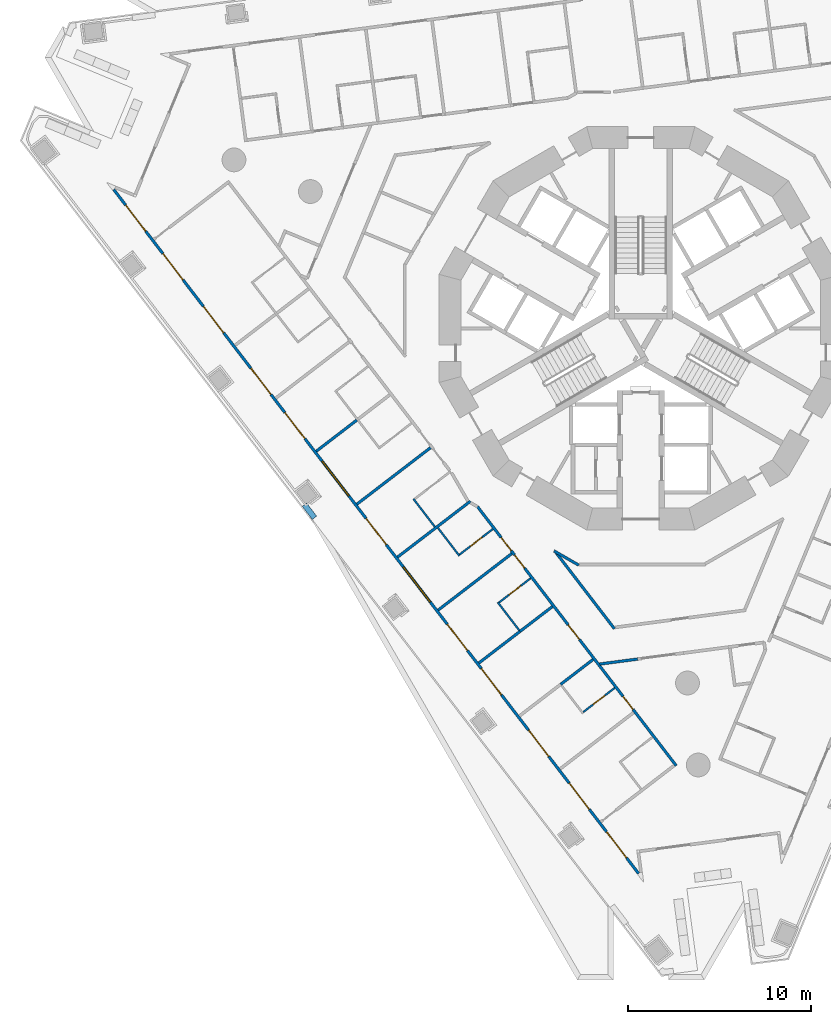
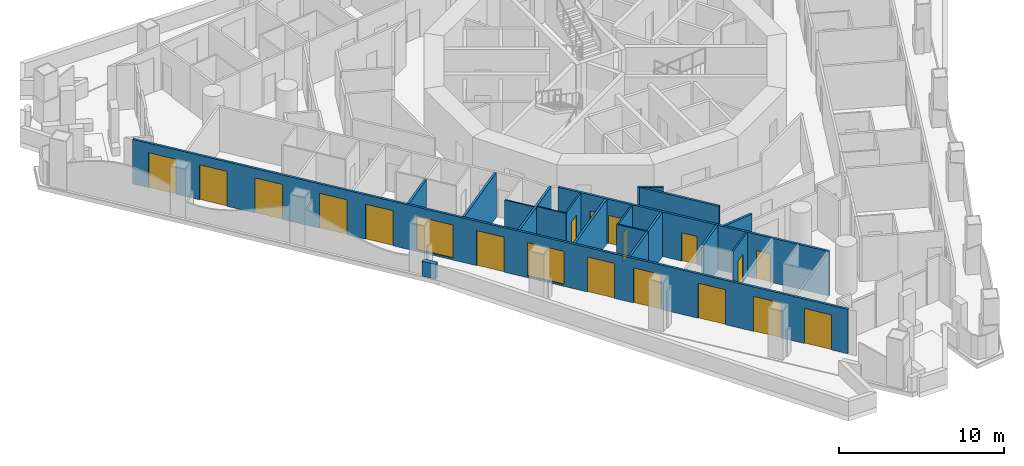
# One storey, part 2 of 20: 19 walls, 18 doors, 2 windows, 20 openings.
"""IFC4 building model written with IfcOpenShell, lengths in metres."""

from ifc_helpers import new_model, si_unit, direction, frame, frame_2d, origin, place, context, subcontext, project, spatial, polyline, rectangle, outline, extrude, material, layer, layer_set, type_object, element, fill, save


model = new_model("IFC4")

# Units and contexts
model_context = context("Model", 3, precision=1e-05, world=origin(), true_north=direction((0.0, 1.0)))
body_context = subcontext(model_context, "Body", "Model", "MODEL_VIEW")
ifc_project = project(units=[si_unit("LENGTHUNIT", "METRE"), si_unit("AREAUNIT", "SQUARE_METRE"), si_unit("VOLUMEUNIT", "CUBIC_METRE"), si_unit("PLANEANGLEUNIT", "RADIAN"), si_unit("MASSUNIT", "GRAM", prefix="KILO")], contexts=[model_context])

# Site, building, storey
site_placement = place(None, origin())
site = spatial("IfcSite", under=ifc_project, at=site_placement, CompositionType="ELEMENT")
building_placement = place(site_placement, origin())
building = spatial("IfcBuilding", under=site, at=building_placement, Name="Trine Commons Tower", CompositionType="ELEMENT")
storey_placement = place(building_placement, frame((0.0, 0.0, 50.39990234375)))
storey = spatial("IfcBuildingStorey", under=building, at=storey_placement, Name="L11", CompositionType="ELEMENT", Elevation=50.39990234375)

# Wall, openings, windows, doors
ifc_material_1 = material(Name="Aluminium-framed insulated wall panel", Category="aluminium")
ifc_layer_1 = layer(ifc_material_1, 0.14990234375)
ifc_layer_set_1 = layer_set([ifc_layer_1], Name="Aluminium-framed insulated wall panel")
wall_type_1 = type_object("IfcWallType", Name="Glazed frame wall 150, EI 60", PredefinedType="SOLIDWALL", material=ifc_layer_set_1)
wall_1_placement = place(storey_placement, frame((79.968994140625, 32.624267578125, 0.0), z_axis=(0.0, 0.0, 1.0), x_axis=(-0.608761526367, 0.793353265585, 0.0)))
wall_1 = element("IfcWall", 1, at=wall_1_placement, inside=storey, type_object=wall_type_1, Name="Glazed frame wall F3", PredefinedType="SOLIDWALL", context=body_context, shape_type="SweptSolid", body=[
    extrude(outline(polyline([(0.1494140625, 0.074951171875), (0.1494140625, -0.074951171875), (47.216796875, -0.074951171875), (47.216796875, 0.074951171875), (0.1494140625, 0.074951171875)])), origin(), (0.0, 0.0, 1.0), 3.300048828125),
])
opening_1_placement = place(wall_1_placement, frame((1.2216796875, 0.0, 0.0)))
opening_1 = element("IfcOpeningElement", 2, at=opening_1_placement, cuts=wall_1, Name="Opening BD-2F3-01", PredefinedType="OPENING", context=body_context, shape_type="SweptSolid", body=[
    extrude(rectangle(XDim=1.800048828125, YDim=2.60009765625, at=frame_2d((0.89990234375, 1.300048828125))), frame((0.0, 0.0849609375, 0.0), z_axis=(0.0, -1.0, 0.0), x_axis=(1.0, 0.0, 0.0)), (0.0, 0.0, 1.0), 0.169921875),
])
opening_2_placement = place(wall_1_placement, frame((4.5654296875, 0.0, 0.0)))
opening_2 = element("IfcOpeningElement", 3, at=opening_2_placement, cuts=wall_1, Name="Opening BD-2F3-02", PredefinedType="OPENING", context=body_context, shape_type="SweptSolid", body=[
    extrude(rectangle(XDim=1.800048828125, YDim=2.60009765625, at=frame_2d((0.89990234375, 1.300048828125))), frame((0.0, 0.0849609375, 0.0), z_axis=(0.0, -1.0, 0.0), x_axis=(1.0, 0.0, 0.0)), (0.0, 0.0, 1.0), 0.169921875),
])
opening_3_placement = place(wall_1_placement, frame((8.208984375, 0.0, 0.0)))
opening_3 = element("IfcOpeningElement", 4, at=opening_3_placement, cuts=wall_1, Name="Opening BD-2F3-03", PredefinedType="OPENING", context=body_context, shape_type="SweptSolid", body=[
    extrude(rectangle(XDim=1.800048828125, YDim=2.60009765625, at=frame_2d((0.89990234375, 1.300048828125))), frame((0.0, 0.0849609375, 0.0), z_axis=(0.0, -1.0, 0.0), x_axis=(1.0, 0.0, 0.0)), (0.0, 0.0, 1.0), 0.169921875),
])
opening_4_placement = place(wall_1_placement, frame((12.45263671875, 0.0, 0.0)))
opening_4 = element("IfcOpeningElement", 5, at=opening_4_placement, cuts=wall_1, Name="Opening BD-2F3-04", PredefinedType="OPENING", context=body_context, shape_type="SweptSolid", body=[
    extrude(rectangle(XDim=1.800048828125, YDim=2.60009765625, at=frame_2d((0.89990234375, 1.300048828125))), frame((0.0, 0.0849609375, 0.0), z_axis=(0.0, -1.0, 0.0), x_axis=(1.0, 0.0, 0.0)), (0.0, 0.0, 1.0), 0.169921875),
])
opening_5_placement = place(wall_1_placement, frame((15.49609375, 0.0, 0.0)))
opening_5 = element("IfcOpeningElement", 6, at=opening_5_placement, cuts=wall_1, Name="Opening BD-2F3-05", PredefinedType="OPENING", context=body_context, shape_type="SweptSolid", body=[
    extrude(rectangle(XDim=1.800048828125, YDim=2.60009765625, at=frame_2d((0.89990234375, 1.300048828125))), frame((0.0, 0.0849609375, 0.0), z_axis=(0.0, -1.0, 0.0), x_axis=(1.0, 0.0, 0.0)), (0.0, 0.0, 1.0), 0.169921875),
])
opening_6_placement = place(wall_1_placement, frame((18.83984375, 0.0, 0.14990234375)))
opening_6 = element("IfcOpeningElement", 7, at=opening_6_placement, cuts=wall_1, Name="Opening W-2F3-06", PredefinedType="OPENING", context=body_context, shape_type="SweptSolid", body=[
    extrude(rectangle(XDim=2.39990234375, YDim=2.449951171875, at=frame_2d((1.199951171875, 1.22509765625))), frame((0.0, 0.0849609375, 0.0), z_axis=(0.0, -1.0, 0.0), x_axis=(1.0, 0.0, 0.0)), (0.0, 0.0, 1.0), 0.169921875),
])
opening_7_placement = place(wall_1_placement, frame((22.783447265625, 0.0, 0.0)))
opening_7 = element("IfcOpeningElement", 8, at=opening_7_placement, cuts=wall_1, Name="Opening BD-2F3-07", PredefinedType="OPENING", context=body_context, shape_type="SweptSolid", body=[
    extrude(rectangle(XDim=1.800048828125, YDim=2.60009765625, at=frame_2d((0.89990234375, 1.300048828125))), frame((0.0, 0.0849609375, 0.0), z_axis=(0.0, -1.0, 0.0), x_axis=(1.0, 0.0, 0.0)), (0.0, 0.0, 1.0), 0.169921875),
])
opening_8_placement = place(wall_1_placement, frame((26.126953125, 0.0, 0.14990234375)))
opening_8 = element("IfcOpeningElement", 9, at=opening_8_placement, cuts=wall_1, Name="Opening W-2F3-08", PredefinedType="OPENING", context=body_context, shape_type="SweptSolid", body=[
    extrude(rectangle(XDim=2.39990234375, YDim=2.449951171875, at=frame_2d((1.199951171875, 1.22509765625))), frame((0.0, 0.0849609375, 0.0), z_axis=(0.0, -1.0, 0.0), x_axis=(1.0, 0.0, 0.0)), (0.0, 0.0, 1.0), 0.169921875),
])
opening_9_placement = place(wall_1_placement, frame((30.070556640625, 0.0, 0.0)))
opening_9 = element("IfcOpeningElement", 10, at=opening_9_placement, cuts=wall_1, Name="Opening BD-2F3-09", PredefinedType="OPENING", context=body_context, shape_type="SweptSolid", body=[
    extrude(rectangle(XDim=1.800048828125, YDim=2.60009765625, at=frame_2d((0.89990234375, 1.300048828125))), frame((0.0, 0.0849609375, 0.0), z_axis=(0.0, -1.0, 0.0), x_axis=(1.0, 0.0, 0.0)), (0.0, 0.0, 1.0), 0.169921875),
])
opening_10_placement = place(wall_1_placement, frame((33.1142578125, 0.0, 0.0)))
opening_10 = element("IfcOpeningElement", 11, at=opening_10_placement, cuts=wall_1, Name="Opening BD-2F3-10", PredefinedType="OPENING", context=body_context, shape_type="SweptSolid", body=[
    extrude(rectangle(XDim=1.800048828125, YDim=2.60009765625, at=frame_2d((0.89990234375, 1.300048828125))), frame((0.0, 0.0849609375, 0.0), z_axis=(0.0, -1.0, 0.0), x_axis=(1.0, 0.0, 0.0)), (0.0, 0.0, 1.0), 0.169921875),
])
opening_11_placement = place(wall_1_placement, frame((37.35791015625, 0.0, 0.0)))
opening_11 = element("IfcOpeningElement", 12, at=opening_11_placement, cuts=wall_1, Name="Opening BD-2F3-11", PredefinedType="OPENING", context=body_context, shape_type="SweptSolid", body=[
    extrude(rectangle(XDim=1.800048828125, YDim=2.60009765625, at=frame_2d((0.89990234375, 1.300048828125))), frame((0.0, 0.0849609375, 0.0), z_axis=(0.0, -1.0, 0.0), x_axis=(1.0, 0.0, 0.0)), (0.0, 0.0, 1.0), 0.169921875),
])
opening_12_placement = place(wall_1_placement, frame((41.00146484375, 0.0, 0.0)))
opening_12 = element("IfcOpeningElement", 13, at=opening_12_placement, cuts=wall_1, Name="Opening BD-2F3-12", PredefinedType="OPENING", context=body_context, shape_type="SweptSolid", body=[
    extrude(rectangle(XDim=1.800048828125, YDim=2.60009765625, at=frame_2d((0.89990234375, 1.300048828125))), frame((0.0, 0.0849609375, 0.0), z_axis=(0.0, -1.0, 0.0), x_axis=(1.0, 0.0, 0.0)), (0.0, 0.0, 1.0), 0.169921875),
])
opening_13_placement = place(wall_1_placement, frame((44.344970703125, 0.0, 0.0)))
opening_13 = element("IfcOpeningElement", 14, at=opening_13_placement, cuts=wall_1, Name="Opening BD-2F3-13", PredefinedType="OPENING", context=body_context, shape_type="SweptSolid", body=[
    extrude(rectangle(XDim=1.800048828125, YDim=2.60009765625, at=frame_2d((0.89990234375, 1.300048828125))), frame((0.0, 0.0849609375, 0.0), z_axis=(0.0, -1.0, 0.0), x_axis=(1.0, 0.0, 0.0)), (0.0, 0.0, 1.0), 0.169921875),
])
ifc_material_2 = material(Name="Anodised aluminium frame with double glazing", Category="aluminium")
window_type = type_object("IfcWindowType", Name="Fixed window 2400x2450", PartitioningType="SINGLE_PANEL", PredefinedType="WINDOW", material=ifc_material_2)
window_1_placement = place(opening_6_placement, origin())
window_1 = element("IfcWindow", 15, at=window_1_placement, inside=storey, type_object=window_type, Name="Window F3 6", OverallHeight=2.449951171875, OverallWidth=2.39990234375, PartitioningType="SINGLE_PANEL", PredefinedType="WINDOW", context=body_context, shape_type="SweptSolid", body=[
    extrude(rectangle(XDim=2.39990234375, YDim=2.449951171875, at=frame_2d((1.199951171875, 1.22509765625))), frame((0.0, 0.030029296875, 0.0), z_axis=(0.0, -1.0, 0.0), x_axis=(1.0, 0.0, 0.0)), (0.0, 0.0, 1.0), 0.06005859375),
])
fill(opening_6, window_1)
window_2_placement = place(opening_8_placement, origin())
window_2 = element("IfcWindow", 16, at=window_2_placement, inside=storey, type_object=window_type, Name="Window F3 8", OverallHeight=2.449951171875, OverallWidth=2.39990234375, PartitioningType="SINGLE_PANEL", PredefinedType="WINDOW", context=body_context, shape_type="SweptSolid", body=[
    extrude(rectangle(XDim=2.39990234375, YDim=2.449951171875, at=frame_2d((1.199951171875, 1.22509765625))), frame((0.0, 0.030029296875, 0.0), z_axis=(0.0, -1.0, 0.0), x_axis=(1.0, 0.0, 0.0)), (0.0, 0.0, 1.0), 0.06005859375),
])
fill(opening_8, window_2)
door_type_1 = type_object("IfcDoorType", Name="Sliding loggia door 1800x2600", OperationType="SLIDING_TO_LEFT", PredefinedType="DOOR", material=ifc_material_2)
door_1_placement = place(opening_1_placement, origin())
door_1 = element("IfcDoor", 17, at=door_1_placement, inside=storey, type_object=door_type_1, Name="Loggia door F3 1", OperationType="SLIDING_TO_LEFT", OverallHeight=2.60009765625, OverallWidth=1.800048828125, PredefinedType="DOOR", context=body_context, shape_type="SweptSolid", body=[
    extrude(rectangle(XDim=1.800048828125, YDim=2.60009765625, at=frame_2d((0.89990234375, 1.300048828125))), frame((0.0, 0.02490234375, 0.0), z_axis=(0.0, -1.0, 0.0), x_axis=(1.0, 0.0, 0.0)), (0.0, 0.0, 1.0), 0.050048828125),
])
fill(opening_1, door_1)
door_2_placement = place(opening_2_placement, origin())
door_2 = element("IfcDoor", 18, at=door_2_placement, inside=storey, type_object=door_type_1, Name="Loggia door F3 2", OperationType="SLIDING_TO_LEFT", OverallHeight=2.60009765625, OverallWidth=1.800048828125, PredefinedType="DOOR", context=body_context, shape_type="SweptSolid", body=[
    extrude(rectangle(XDim=1.800048828125, YDim=2.60009765625, at=frame_2d((0.89990234375, 1.300048828125))), frame((0.0, 0.02490234375, 0.0), z_axis=(0.0, -1.0, 0.0), x_axis=(1.0, 0.0, 0.0)), (0.0, 0.0, 1.0), 0.050048828125),
])
fill(opening_2, door_2)
door_3_placement = place(opening_3_placement, origin())
door_3 = element("IfcDoor", 19, at=door_3_placement, inside=storey, type_object=door_type_1, Name="Loggia door F3 3", OperationType="SLIDING_TO_LEFT", OverallHeight=2.60009765625, OverallWidth=1.800048828125, PredefinedType="DOOR", context=body_context, shape_type="SweptSolid", body=[
    extrude(rectangle(XDim=1.800048828125, YDim=2.60009765625, at=frame_2d((0.89990234375, 1.300048828125))), frame((0.0, 0.02490234375, 0.0), z_axis=(0.0, -1.0, 0.0), x_axis=(1.0, 0.0, 0.0)), (0.0, 0.0, 1.0), 0.050048828125),
])
fill(opening_3, door_3)
door_4_placement = place(opening_4_placement, origin())
door_4 = element("IfcDoor", 20, at=door_4_placement, inside=storey, type_object=door_type_1, Name="Loggia door F3 4", OperationType="SLIDING_TO_LEFT", OverallHeight=2.60009765625, OverallWidth=1.800048828125, PredefinedType="DOOR", context=body_context, shape_type="SweptSolid", body=[
    extrude(rectangle(XDim=1.800048828125, YDim=2.60009765625, at=frame_2d((0.89990234375, 1.300048828125))), frame((0.0, 0.02490234375, 0.0), z_axis=(0.0, -1.0, 0.0), x_axis=(1.0, 0.0, 0.0)), (0.0, 0.0, 1.0), 0.050048828125),
])
fill(opening_4, door_4)
door_5_placement = place(opening_5_placement, origin())
door_5 = element("IfcDoor", 21, at=door_5_placement, inside=storey, type_object=door_type_1, Name="Loggia door F3 5", OperationType="SLIDING_TO_LEFT", OverallHeight=2.60009765625, OverallWidth=1.800048828125, PredefinedType="DOOR", context=body_context, shape_type="SweptSolid", body=[
    extrude(rectangle(XDim=1.800048828125, YDim=2.60009765625, at=frame_2d((0.89990234375, 1.300048828125))), frame((0.0, 0.02490234375, 0.0), z_axis=(0.0, -1.0, 0.0), x_axis=(1.0, 0.0, 0.0)), (0.0, 0.0, 1.0), 0.050048828125),
])
fill(opening_5, door_5)
door_6_placement = place(opening_7_placement, origin())
door_6 = element("IfcDoor", 22, at=door_6_placement, inside=storey, type_object=door_type_1, Name="Loggia door F3 7", OperationType="SLIDING_TO_LEFT", OverallHeight=2.60009765625, OverallWidth=1.800048828125, PredefinedType="DOOR", context=body_context, shape_type="SweptSolid", body=[
    extrude(rectangle(XDim=1.800048828125, YDim=2.60009765625, at=frame_2d((0.89990234375, 1.300048828125))), frame((0.0, 0.02490234375, 0.0), z_axis=(0.0, -1.0, 0.0), x_axis=(1.0, 0.0, 0.0)), (0.0, 0.0, 1.0), 0.050048828125),
])
fill(opening_7, door_6)
door_7_placement = place(opening_9_placement, origin())
door_7 = element("IfcDoor", 23, at=door_7_placement, inside=storey, type_object=door_type_1, Name="Loggia door F3 9", OperationType="SLIDING_TO_LEFT", OverallHeight=2.60009765625, OverallWidth=1.800048828125, PredefinedType="DOOR", context=body_context, shape_type="SweptSolid", body=[
    extrude(rectangle(XDim=1.800048828125, YDim=2.60009765625, at=frame_2d((0.89990234375, 1.300048828125))), frame((0.0, 0.02490234375, 0.0), z_axis=(0.0, -1.0, 0.0), x_axis=(1.0, 0.0, 0.0)), (0.0, 0.0, 1.0), 0.050048828125),
])
fill(opening_9, door_7)
door_8_placement = place(opening_10_placement, origin())
door_8 = element("IfcDoor", 24, at=door_8_placement, inside=storey, type_object=door_type_1, Name="Loggia door F3 10", OperationType="SLIDING_TO_LEFT", OverallHeight=2.60009765625, OverallWidth=1.800048828125, PredefinedType="DOOR", context=body_context, shape_type="SweptSolid", body=[
    extrude(rectangle(XDim=1.800048828125, YDim=2.60009765625, at=frame_2d((0.89990234375, 1.300048828125))), frame((0.0, 0.02490234375, 0.0), z_axis=(0.0, -1.0, 0.0), x_axis=(1.0, 0.0, 0.0)), (0.0, 0.0, 1.0), 0.050048828125),
])
fill(opening_10, door_8)
door_9_placement = place(opening_11_placement, origin())
door_9 = element("IfcDoor", 25, at=door_9_placement, inside=storey, type_object=door_type_1, Name="Loggia door F3 11", OperationType="SLIDING_TO_LEFT", OverallHeight=2.60009765625, OverallWidth=1.800048828125, PredefinedType="DOOR", context=body_context, shape_type="SweptSolid", body=[
    extrude(rectangle(XDim=1.800048828125, YDim=2.60009765625, at=frame_2d((0.89990234375, 1.300048828125))), frame((0.0, 0.02490234375, 0.0), z_axis=(0.0, -1.0, 0.0), x_axis=(1.0, 0.0, 0.0)), (0.0, 0.0, 1.0), 0.050048828125),
])
fill(opening_11, door_9)
door_10_placement = place(opening_12_placement, origin())
door_10 = element("IfcDoor", 26, at=door_10_placement, inside=storey, type_object=door_type_1, Name="Loggia door F3 12", OperationType="SLIDING_TO_LEFT", OverallHeight=2.60009765625, OverallWidth=1.800048828125, PredefinedType="DOOR", context=body_context, shape_type="SweptSolid", body=[
    extrude(rectangle(XDim=1.800048828125, YDim=2.60009765625, at=frame_2d((0.89990234375, 1.300048828125))), frame((0.0, 0.02490234375, 0.0), z_axis=(0.0, -1.0, 0.0), x_axis=(1.0, 0.0, 0.0)), (0.0, 0.0, 1.0), 0.050048828125),
])
fill(opening_12, door_10)
door_11_placement = place(opening_13_placement, origin())
door_11 = element("IfcDoor", 27, at=door_11_placement, inside=storey, type_object=door_type_1, Name="Loggia door F3 13", OperationType="SLIDING_TO_LEFT", OverallHeight=2.60009765625, OverallWidth=1.800048828125, PredefinedType="DOOR", context=body_context, shape_type="SweptSolid", body=[
    extrude(rectangle(XDim=1.800048828125, YDim=2.60009765625, at=frame_2d((0.89990234375, 1.300048828125))), frame((0.0, 0.02490234375, 0.0), z_axis=(0.0, -1.0, 0.0), x_axis=(1.0, 0.0, 0.0)), (0.0, 0.0, 1.0), 0.050048828125),
])
fill(opening_13, door_11)

# Walls
ifc_material_3 = material(Name="Limestone, honed", Category="masonry")
ifc_layer_2 = layer(ifc_material_3, 0.300048828125)
ifc_layer_set_2 = layer_set([ifc_layer_2], Name="Limestone, honed")
wall_type_2 = type_object("IfcWallType", Name="Stone parapet 300", PredefinedType="PARAPET", material=ifc_layer_set_2)
wall_2_placement = place(storey_placement, origin())
element("IfcWall", 28, at=wall_2_placement, inside=storey, type_object=wall_type_2, Name="Sliver roof parapet extension L10 3.X1", PredefinedType="PARAPET", context=body_context, shape_type="SweptSolid", body=[
    extrude(outline(polyline([(62.067626953125, 52.06884765625), (62.3056640625, 52.25146484375), (61.7578125, 52.965576171875), (61.519775390625, 52.782958984375), (61.690673828125, 52.560302734375), (62.067626953125, 52.06884765625)])), origin(), (0.0, 0.0, 1.0), 1.10009765625),
])
ifc_material_4 = material(Name="Gypsum plasterboard on steel stud", Category="steel")
ifc_layer_3 = layer(ifc_material_4, 0.14990234375)
ifc_layer_set_3 = layer_set([ifc_layer_3], Name="Gypsum plasterboard on steel stud")
wall_type_3 = type_object("IfcWallType", Name="Unit and corridor wall 150 mm, EI 60", PredefinedType="PARTITIONING", material=ifc_layer_set_3)
wall_3_placement = place(storey_placement, frame((62.28369140625, 55.79541015625, 0.0), z_axis=(0.0, 0.0, 1.0), x_axis=(0.793280814045, 0.608855935397, 0.0)))
element("IfcWall", 29, at=wall_3_placement, inside=storey, type_object=wall_type_3, Name="Partition 021", PredefinedType="PARTITIONING", context=body_context, shape_type="SweptSolid", body=[
    extrude(rectangle(XDim=2.789306640625, YDim=0.14990234375, at=frame_2d((1.39453125, 0.0))), origin(), (0.0, 0.0, 1.0), 3.300048828125),
])
wall_4_placement = place(storey_placement, frame((64.501708984375, 52.904296875, 0.0), z_axis=(0.0, 0.0, 1.0), x_axis=(0.793351017656, 0.608764455913, 0.0)))
element("IfcWall", 30, at=wall_4_placement, inside=storey, type_object=wall_type_3, Name="Partition 031", PredefinedType="PARTITIONING", context=body_context, shape_type="SweptSolid", body=[
    extrude(rectangle(XDim=5.064453125, YDim=0.14990234375, at=frame_2d((2.5322265625, 0.0))), origin(), (0.0, 0.0, 1.0), 3.300048828125),
])
wall_5_placement = place(storey_placement, frame((66.7197265625, 50.014404296875, 0.0), z_axis=(0.0, 0.0, 1.0), x_axis=(0.793383103562, 0.608722638796, 0.0)))
element("IfcWall", 31, at=wall_5_placement, inside=storey, type_object=wall_type_3, Name="Partition 042", PredefinedType="PARTITIONING", context=body_context, shape_type="SweptSolid", body=[
    extrude(rectangle(XDim=5.017333984375, YDim=0.14990234375, at=frame_2d((2.5087890625, 0.0))), origin(), (0.0, 0.0, 1.0), 3.300048828125),
])
wall_6_placement = place(storey_placement, frame((68.937744140625, 47.123291015625, 0.0), z_axis=(0.0, 0.0, 1.0), x_axis=(0.793351017656, 0.608764455913, 0.0)))
element("IfcWall", 32, at=wall_6_placement, inside=storey, type_object=wall_type_3, Name="Partition 052", PredefinedType="PARTITIONING", context=body_context, shape_type="SweptSolid", body=[
    extrude(rectangle(XDim=5.064453125, YDim=0.14990234375, at=frame_2d((2.5322265625, 0.0))), origin(), (0.0, 0.0, 1.0), 3.300048828125),
])

# Wall, openings, doors
wall_7_placement = place(storey_placement, frame((71.087890625, 52.76611328125, 0.0), z_axis=(0.0, 0.0, 1.0), x_axis=(0.608663951432, -0.793428127953, 0.0)))
wall_7 = element("IfcWall", 33, at=wall_7_placement, inside=storey, type_object=wall_type_3, Name="Partition 058", PredefinedType="PARTITIONING", context=body_context, shape_type="SweptSolid", body=[
    extrude(rectangle(XDim=17.8173828125, YDim=0.14990234375, at=frame_2d((8.90869140625, 0.0))), origin(), (0.0, 0.0, 1.0), 3.300048828125),
])
opening_14_placement = place(wall_7_placement, frame((13.048095703125, 0.0, 0.0)))
opening_14 = element("IfcOpeningElement", 34, at=opening_14_placement, cuts=wall_7, Name="Opening D-2A27", PredefinedType="OPENING", context=body_context, shape_type="SweptSolid", body=[
    extrude(rectangle(XDim=0.89990234375, YDim=2.10009765625, at=frame_2d((0.449951171875, 1.050048828125))), frame((0.0, 0.0849609375, 0.0), z_axis=(0.0, -1.0, 0.0), x_axis=(1.0, 0.0, 0.0)), (0.0, 0.0, 1.0), 0.169921875),
])
opening_15_placement = place(wall_7_placement, frame((8.13330078125, 0.0, 0.0)))
opening_15 = element("IfcOpeningElement", 35, at=opening_15_placement, cuts=wall_7, Name="Opening D-2A28", PredefinedType="OPENING", context=body_context, shape_type="SweptSolid", body=[
    extrude(rectangle(XDim=1.0, YDim=2.10009765625, at=frame_2d((0.5, 1.050048828125))), frame((0.0, 0.0849609375, 0.0), z_axis=(0.0, -1.0, 0.0), x_axis=(1.0, 0.0, 0.0)), (0.0, 0.0, 1.0), 0.169921875),
])
opening_16_placement = place(wall_7_placement, frame((3.317626953125, 0.0, 0.0)))
opening_16 = element("IfcOpeningElement", 36, at=opening_16_placement, cuts=wall_7, Name="Opening D-2A29", PredefinedType="OPENING", context=body_context, shape_type="SweptSolid", body=[
    extrude(rectangle(XDim=0.89990234375, YDim=2.10009765625, at=frame_2d((0.449951171875, 1.050048828125))), frame((0.0, 0.0849609375, 0.0), z_axis=(0.0, -1.0, 0.0), x_axis=(1.0, 0.0, 0.0)), (0.0, 0.0, 1.0), 0.169921875),
])
opening_17_placement = place(wall_7_placement, frame((2.11767578125, 0.0, 0.0)))
opening_17 = element("IfcOpeningElement", 37, at=opening_17_placement, cuts=wall_7, Name="Opening D-2A30", PredefinedType="OPENING", context=body_context, shape_type="SweptSolid", body=[
    extrude(rectangle(XDim=0.89990234375, YDim=2.10009765625, at=frame_2d((0.449951171875, 1.050048828125))), frame((0.0, 0.0849609375, 0.0), z_axis=(0.0, -1.0, 0.0), x_axis=(1.0, 0.0, 0.0)), (0.0, 0.0, 1.0), 0.169921875),
])
ifc_material_5 = material(Name="Painted timber", Category="wood")
door_type_2 = type_object("IfcDoorType", Name="Amenity room door 1000 x 2100, NOT RATED", OperationType="NOTDEFINED", PredefinedType="DOOR", material=ifc_material_5)
door_12_placement = place(opening_15_placement, frame((1.0, 0.0, 0.0), z_axis=(0.0, 0.0, 1.0), x_axis=(-1.0, 0.0, 0.0)))
door_12 = element("IfcDoor", 38, at=door_12_placement, inside=storey, type_object=door_type_2, Name="Door D-2A28", OperationType="SINGLE_SWING_RIGHT", OverallHeight=2.10009765625, OverallWidth=1.0, PredefinedType="DOOR", context=body_context, shape_type="SweptSolid", body=[
    extrude(rectangle(XDim=1.0, YDim=2.10009765625, at=frame_2d((0.5, 1.050048828125))), frame((0.0, 0.02490234375, 0.0), z_axis=(0.0, -1.0, 0.0), x_axis=(1.0, 0.0, 0.0)), (0.0, 0.0, 1.0), 0.050048828125),
])
fill(opening_15, door_12)
ifc_material_6 = material(Name="Timber fire door set", Category="wood")
door_type_3 = type_object("IfcDoorType", Name="Bedroom door 900 x 2100, FD30S", OperationType="NOTDEFINED", PredefinedType="DOOR", material=ifc_material_6)
door_13_placement = place(opening_14_placement, frame((0.89990234375, 0.0, 0.0), z_axis=(0.0, 0.0, 1.0), x_axis=(-1.0, 0.0, 0.0)))
door_13 = element("IfcDoor", 39, at=door_13_placement, inside=storey, type_object=door_type_3, Name="Door D-2A27", OperationType="SINGLE_SWING_LEFT", OverallHeight=2.10009765625, OverallWidth=0.89990234375, PredefinedType="DOOR", context=body_context, shape_type="SweptSolid", body=[
    extrude(rectangle(XDim=0.89990234375, YDim=2.10009765625, at=frame_2d((0.449951171875, 1.050048828125))), frame((0.0, 0.02490234375, 0.0), z_axis=(0.0, -1.0, 0.0), x_axis=(1.0, 0.0, 0.0)), (0.0, 0.0, 1.0), 0.050048828125),
])
fill(opening_14, door_13)
door_14_placement = place(opening_16_placement, frame((0.89990234375, 0.0, 0.0), z_axis=(0.0, 0.0, 1.0), x_axis=(-1.0, 0.0, 0.0)))
door_14 = element("IfcDoor", 40, at=door_14_placement, inside=storey, type_object=door_type_3, Name="Door D-2A29", OperationType="SINGLE_SWING_RIGHT", OverallHeight=2.10009765625, OverallWidth=0.89990234375, PredefinedType="DOOR", context=body_context, shape_type="SweptSolid", body=[
    extrude(rectangle(XDim=0.89990234375, YDim=2.10009765625, at=frame_2d((0.449951171875, 1.050048828125))), frame((0.0, 0.02490234375, 0.0), z_axis=(0.0, -1.0, 0.0), x_axis=(1.0, 0.0, 0.0)), (0.0, 0.0, 1.0), 0.050048828125),
])
fill(opening_16, door_14)
door_15_placement = place(opening_17_placement, frame((0.89990234375, 0.0, 0.0), z_axis=(0.0, 0.0, 1.0), x_axis=(-1.0, 0.0, 0.0)))
door_15 = element("IfcDoor", 41, at=door_15_placement, inside=storey, type_object=door_type_3, Name="Door D-2A30", OperationType="SINGLE_SWING_RIGHT", OverallHeight=2.10009765625, OverallWidth=0.89990234375, PredefinedType="DOOR", context=body_context, shape_type="SweptSolid", body=[
    extrude(rectangle(XDim=0.89990234375, YDim=2.10009765625, at=frame_2d((0.449951171875, 1.050048828125))), frame((0.0, 0.02490234375, 0.0), z_axis=(0.0, -1.0, 0.0), x_axis=(1.0, 0.0, 0.0)), (0.0, 0.0, 1.0), 0.050048828125),
])
fill(opening_17, door_15)

# Walls
wall_8_placement = place(storey_placement, frame((71.15576171875, 44.232421875, 0.0), z_axis=(0.0, 0.0, 1.0), x_axis=(0.793345018711, 0.60877227375, 0.0)))
element("IfcWall", 42, at=wall_8_placement, inside=storey, type_object=wall_type_3, Name="Partition 059", PredefinedType="PARTITIONING", context=body_context, shape_type="SweptSolid", body=[
    extrude(rectangle(XDim=2.842529296875, YDim=0.14990234375, at=frame_2d((1.42138671875, 0.0))), origin(), (0.0, 0.0, 1.0), 3.300048828125),
])
wall_9_placement = place(storey_placement, frame((73.405029296875, 45.958984375, 0.0), z_axis=(0.0, 0.0, 1.0), x_axis=(0.793486460679, 0.608587903856, 0.0)))
element("IfcWall", 43, at=wall_9_placement, inside=storey, type_object=wall_type_3, Name="Partition 065", PredefinedType="PARTITIONING", context=body_context, shape_type="SweptSolid", body=[
    extrude(rectangle(XDim=2.228759765625, YDim=0.14990234375, at=frame_2d((1.1142578125, 0.0))), origin(), (0.0, 0.0, 1.0), 3.300048828125),
])
wall_10_placement = place(storey_placement, frame((75.260986328125, 50.35546875, 0.0), z_axis=(0.0, 0.0, 1.0), x_axis=(0.866029224906, -0.499993381564, 0.0)))
element("IfcWall", 44, at=wall_10_placement, inside=storey, type_object=wall_type_3, Name="Partition 068", PredefinedType="PARTITIONING", context=body_context, shape_type="SweptSolid", body=[
    extrude(rectangle(XDim=1.56005859375, YDim=0.14990234375, at=frame_2d((0.780029296875, 0.0))), origin(), (0.0, 0.0, 1.0), 3.300048828125),
])
wall_11_placement = place(storey_placement, frame((75.373779296875, 50.257568359375, 0.0), z_axis=(0.0, 0.0, 1.0), x_axis=(0.608769592338, -0.793347076282, 0.0)))
element("IfcWall", 45, at=wall_11_placement, inside=storey, type_object=wall_type_3, Name="Partition 069", PredefinedType="PARTITIONING", context=body_context, shape_type="SweptSolid", body=[
    extrude(rectangle(XDim=5.22998046875, YDim=0.14990234375, at=frame_2d((2.614990234375, 0.0))), origin(), (0.0, 0.0, 1.0), 3.300048828125),
])
wall_12_placement = place(storey_placement, frame((75.626953125, 43.070068359375, 0.0), z_axis=(0.0, 0.0, 1.0), x_axis=(0.793313024441, 0.608813966045, 0.0)))
element("IfcWall", 46, at=wall_12_placement, inside=storey, type_object=wall_type_3, Name="Partition 072", PredefinedType="PARTITIONING", context=body_context, shape_type="SweptSolid", body=[
    extrude(rectangle(XDim=2.224365234375, YDim=0.14990234375, at=frame_2d((1.1123046875, 0.0))), origin(), (0.0, 0.0, 1.0), 3.300048828125),
])
wall_13_placement = place(storey_placement, frame((77.75732421875, 44.177734375, 0.0), z_axis=(0.0, 0.0, 1.0), x_axis=(0.99142565409, 0.130672003172, 0.0)))
element("IfcWall", 47, at=wall_13_placement, inside=storey, type_object=wall_type_3, Name="Partition 078", PredefinedType="PARTITIONING", context=body_context, shape_type="SweptSolid", body=[
    extrude(rectangle(XDim=2.090576171875, YDim=0.14990234375, at=frame_2d((1.04541015625, 0.0))), origin(), (0.0, 0.0, 1.0), 3.300048828125),
])
ifc_layer_4 = layer(ifc_material_4, 0.10009765625)
ifc_layer_set_4 = layer_set([ifc_layer_4], Name="Gypsum plasterboard on steel stud")
wall_type_4 = type_object("IfcWallType", Name="Unit partition 100 mm, no rating", PredefinedType="PARTITIONING", material=ifc_layer_set_4)
wall_14_placement = place(storey_placement, frame((67.584716796875, 53.19873046875, 0.0), z_axis=(0.0, 0.0, 1.0), x_axis=(0.608404928037, -0.793626765892, 0.0)))
element("IfcWall", 48, at=wall_14_placement, inside=storey, type_object=wall_type_4, Name="Partition 046", PredefinedType="PARTITIONING", context=body_context, shape_type="SweptSolid", body=[
    extrude(rectangle(XDim=1.92578125, YDim=0.10009765625, at=frame_2d((0.962890625, 0.0))), origin(), (0.0, 0.0, 1.0), 3.300048828125),
])
wall_15_placement = place(storey_placement, frame((68.9248046875, 51.611572265625, 0.0), z_axis=(0.0, 0.0, 1.0), x_axis=(0.608649853766, -0.793438942522, 0.0)))
element("IfcWall", 49, at=wall_15_placement, inside=storey, type_object=wall_type_4, Name="Partition 051", PredefinedType="PARTITIONING", context=body_context, shape_type="SweptSolid", body=[
    extrude(rectangle(XDim=1.925048828125, YDim=0.10009765625, at=frame_2d((0.96240234375, 0.0))), origin(), (0.0, 0.0, 1.0), 3.300048828125),
])

# Wall, opening, door
wall_16_placement = place(storey_placement, frame((70.105712890625, 50.154296875, 0.0), z_axis=(0.0, 0.0, 1.0), x_axis=(0.793486347076, 0.608588051972, 0.0)))
wall_16 = element("IfcWall", 50, at=wall_16_placement, inside=storey, type_object=wall_type_4, Name="Partition 055", PredefinedType="PARTITIONING", context=body_context, shape_type="SweptSolid", body=[
    extrude(rectangle(XDim=2.292236328125, YDim=0.10009765625, at=frame_2d((1.14599609375, 0.0))), origin(), (0.0, 0.0, 1.0), 3.300048828125),
])
opening_18_placement = place(wall_16_placement, frame((0.74609375, 0.0, 0.0)))
opening_18 = element("IfcOpeningElement", 51, at=opening_18_placement, cuts=wall_16, Name="Opening D-2A60", PredefinedType="OPENING", context=body_context, shape_type="SweptSolid", body=[
    extrude(rectangle(XDim=0.800048828125, YDim=2.10009765625, at=frame_2d((0.39990234375, 1.050048828125))), frame((0.0, 0.06005859375, 0.0), z_axis=(0.0, -1.0, 0.0), x_axis=(1.0, 0.0, 0.0)), (0.0, 0.0, 1.0), 0.1201171875),
])
door_type_4 = type_object("IfcDoorType", Name="Internal door 800 x 2100, NOT RATED", OperationType="NOTDEFINED", PredefinedType="DOOR", material=ifc_material_5)
door_16_placement = place(opening_18_placement, frame((0.800048828125, 0.0, 0.0), z_axis=(0.0, 0.0, 1.0), x_axis=(-1.0, 0.0, 0.0)))
door_16 = element("IfcDoor", 52, at=door_16_placement, inside=storey, type_object=door_type_4, Name="Door D-2A60", OperationType="SINGLE_SWING_LEFT", OverallHeight=2.10009765625, OverallWidth=0.800048828125, PredefinedType="DOOR", context=body_context, shape_type="SweptSolid", body=[
    extrude(rectangle(XDim=0.800048828125, YDim=2.10009765625, at=frame_2d((0.39990234375, 1.050048828125))), frame((0.0, 0.02490234375, 0.0), z_axis=(0.0, -1.0, 0.0), x_axis=(1.0, 0.0, 0.0)), (0.0, 0.0, 1.0), 0.050048828125),
])
fill(opening_18, door_16)

# Wall
wall_17_placement = place(storey_placement, frame((72.190673828125, 47.547607421875, 0.0), z_axis=(0.0, 0.0, 1.0), x_axis=(0.608711106948, -0.793391951231, 0.0)))
element("IfcWall", 53, at=wall_17_placement, inside=storey, type_object=wall_type_4, Name="Partition 061", PredefinedType="PARTITIONING", context=body_context, shape_type="SweptSolid", body=[
    extrude(rectangle(XDim=1.9248046875, YDim=0.10009765625, at=frame_2d((0.96240234375, 0.0))), origin(), (0.0, 0.0, 1.0), 3.300048828125),
])

# Wall, opening, door
wall_18_placement = place(storey_placement, frame((72.2607421875, 47.538330078125, 0.0), z_axis=(0.0, 0.0, 1.0), x_axis=(0.79342025342, 0.608674216197, 0.0)))
wall_18 = element("IfcWall", 54, at=wall_18_placement, inside=storey, type_object=wall_type_4, Name="Partition 062", PredefinedType="PARTITIONING", context=body_context, shape_type="SweptSolid", body=[
    extrude(rectangle(XDim=2.17529296875, YDim=0.10009765625, at=frame_2d((1.087646484375, 0.0))), origin(), (0.0, 0.0, 1.0), 3.300048828125),
])
opening_19_placement = place(wall_18_placement, frame((0.6875, 0.0, 0.0)))
opening_19 = element("IfcOpeningElement", 55, at=opening_19_placement, cuts=wall_18, Name="Opening D-2A59", PredefinedType="OPENING", context=body_context, shape_type="SweptSolid", body=[
    extrude(rectangle(XDim=0.800048828125, YDim=2.10009765625, at=frame_2d((0.39990234375, 1.050048828125))), frame((0.0, 0.06005859375, 0.0), z_axis=(0.0, -1.0, 0.0), x_axis=(1.0, 0.0, 0.0)), (0.0, 0.0, 1.0), 0.1201171875),
])
door_17_placement = place(opening_19_placement, origin())
door_17 = element("IfcDoor", 56, at=door_17_placement, inside=storey, type_object=door_type_4, Name="Door D-2A59", OperationType="SINGLE_SWING_RIGHT", OverallHeight=2.10009765625, OverallWidth=0.800048828125, PredefinedType="DOOR", context=body_context, shape_type="SweptSolid", body=[
    extrude(rectangle(XDim=0.800048828125, YDim=2.10009765625, at=frame_2d((0.39990234375, 1.050048828125))), frame((0.0, 0.02490234375, 0.0), z_axis=(0.0, -1.0, 0.0), x_axis=(1.0, 0.0, 0.0)), (0.0, 0.0, 1.0), 0.050048828125),
])
fill(opening_19, door_17)

wall_19_placement = place(storey_placement, frame((76.853759765625, 41.553466796875, 0.0), z_axis=(0.0, 0.0, 1.0), x_axis=(0.793308064866, 0.608820428549, 0.0)))
wall_19 = element("IfcWall", 57, at=wall_19_placement, inside=storey, type_object=wall_type_4, Name="Partition 077", PredefinedType="PARTITIONING", context=body_context, shape_type="SweptSolid", body=[
    extrude(rectangle(XDim=2.17431640625, YDim=0.10009765625, at=frame_2d((1.087158203125, 0.0))), origin(), (0.0, 0.0, 1.0), 3.300048828125),
])
opening_20_placement = place(wall_19_placement, frame((0.687255859375, 0.0, 0.0)))
opening_20 = element("IfcOpeningElement", 58, at=opening_20_placement, cuts=wall_19, Name="Opening D-2A58", PredefinedType="OPENING", context=body_context, shape_type="SweptSolid", body=[
    extrude(rectangle(XDim=0.800048828125, YDim=2.10009765625, at=frame_2d((0.39990234375, 1.050048828125))), frame((0.0, 0.06005859375, 0.0), z_axis=(0.0, -1.0, 0.0), x_axis=(1.0, 0.0, 0.0)), (0.0, 0.0, 1.0), 0.1201171875),
])
door_18_placement = place(opening_20_placement, frame((0.800048828125, 0.0, 0.0), z_axis=(0.0, 0.0, 1.0), x_axis=(-1.0, 0.0, 0.0)))
door_18 = element("IfcDoor", 59, at=door_18_placement, inside=storey, type_object=door_type_4, Name="Door D-2A58", OperationType="SINGLE_SWING_LEFT", OverallHeight=2.10009765625, OverallWidth=0.800048828125, PredefinedType="DOOR", context=body_context, shape_type="SweptSolid", body=[
    extrude(rectangle(XDim=0.800048828125, YDim=2.10009765625, at=frame_2d((0.39990234375, 1.050048828125))), frame((0.0, 0.02490234375, 0.0), z_axis=(0.0, -1.0, 0.0), x_axis=(1.0, 0.0, 0.0)), (0.0, 0.0, 1.0), 0.050048828125),
])
fill(opening_20, door_18)

save(model, "model.ifc")
